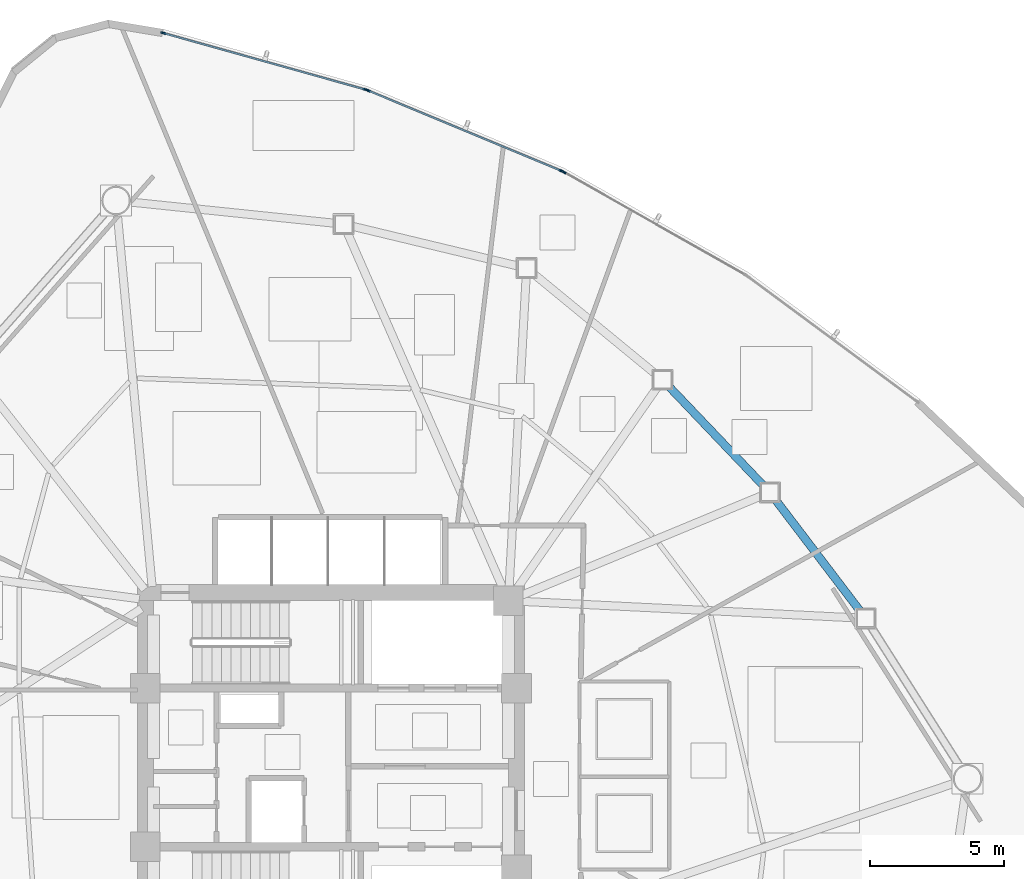
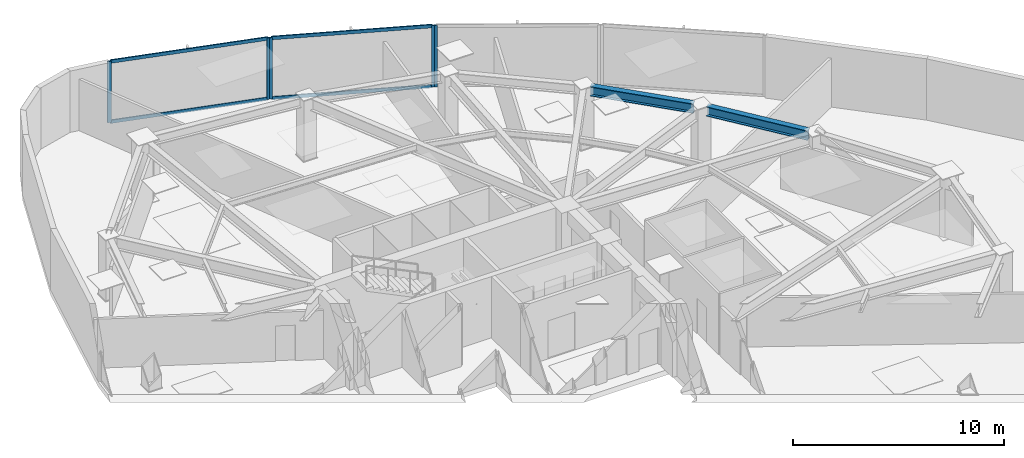
# One storey, part 9 of 18: 9 members, 2 beams, 3 elements without a shape of their own.
"""IFC4 building model written with IfcOpenShell, lengths in metres."""

from ifc_helpers import new_model, si_unit, direction, frame, origin, origin_2d, place, context, subcontext, project, spatial, hollow_rectangle, i_section, extrude, source, transform, mapped, material, layer, layer_set, material_profile, profile_set, type_object, type_shapes, element, aggregate, save


model = new_model("IFC4")

# Units and contexts
model_context = context("Model", 3, precision=1e-05, world=origin(), true_north=direction((0.0, 1.0)))
body_context = subcontext(model_context, "Body", "Model", "MODEL_VIEW")
ifc_project = project(units=[si_unit("LENGTHUNIT", "METRE"), si_unit("AREAUNIT", "SQUARE_METRE"), si_unit("VOLUMEUNIT", "CUBIC_METRE"), si_unit("PLANEANGLEUNIT", "RADIAN"), si_unit("MASSUNIT", "GRAM", prefix="KILO")], contexts=[model_context])

# Site, building, storey
site_placement = place(None, origin())
site = spatial("IfcSite", under=ifc_project, at=site_placement, CompositionType="ELEMENT")
building_placement = place(site_placement, origin())
building = spatial("IfcBuilding", under=site, at=building_placement, Name="Tavelor Broadcast Tower", CompositionType="ELEMENT")
storey_placement = place(building_placement, frame((0.0, 0.0, 146.39990234375)))
storey = spatial("IfcBuildingStorey", under=building, at=storey_placement, Name="L34", CompositionType="ELEMENT", Elevation=146.39990234375)

# Beams
ifc_material_1 = material(Name="Steel S355", Category="steel")
ifc_material_profile_1 = material_profile(ifc_material_1, i_section(OverallWidth=0.300048828125, OverallDepth=0.550048828125, WebThickness=0.014892578125, FlangeThickness=0.029052734375, at=origin_2d()), Name="HEB 550")
ifc_profile_set_1 = profile_set([ifc_material_profile_1], Name="Steel S355")
beam_type = type_object("IfcBeamType", Name="Perimeter Spandrel Beam T3 HEB 550", PredefinedType="SPANDREL", material=ifc_profile_set_1)
beam_1_placement = place(storey_placement, frame((69.6826171875, 50.8115234375, 3.275146484375), z_axis=(-0.605507005058, 0.795839975639, 0.0), x_axis=(-0.795839975639, -0.605507005058, 0.0)))
element("IfcBeam", 1, at=beam_1_placement, inside=storey, type_object=beam_type, Name="L34 Framed-Tube Ring Spandrel 14", PredefinedType="SPANDREL", context=body_context, shape_type="SweptSolid", body=[
    extrude(i_section(OverallWidth=0.300048828125, OverallDepth=0.550048828125, WebThickness=0.014892578125, FlangeThickness=0.029052734375, at=origin_2d()), origin(), (0.0, 0.0, 1.0), 5.214111328125),
])
beam_2_placement = place(storey_placement, frame((66.090087890625, 55.471923828125, 3.275146484375), z_axis=(-0.689928162502, 0.723877842309, 0.0), x_axis=(-0.723877842309, -0.689928162502, 0.0)))
element("IfcBeam", 2, at=beam_2_placement, inside=storey, type_object=beam_type, Name="L34 Framed-Tube Ring Spandrel 15", PredefinedType="SPANDREL", context=body_context, shape_type="SweptSolid", body=[
    extrude(i_section(OverallWidth=0.300048828125, OverallDepth=0.550048828125, WebThickness=0.014892578125, FlangeThickness=0.029052734375, at=origin_2d()), origin(), (0.0, 0.0, 1.0), 5.113037109375),
])

# Curtain wall, member
ifc_material_2 = material(Name="Architectural Anodized Aluminium", Category="aluminium")
ifc_layer = layer(ifc_material_2, 0.18994140625)
ifc_layer_set = layer_set([ifc_layer], Name="Architectural Anodized Aluminium")
curtain_wall_type = type_object("IfcCurtainWallType", Name="Tower Mid-Zone Acoustic Curtain Wall CW03", PredefinedType="NOTDEFINED", material=ifc_layer_set)
curtain_wall_1_placement = place(storey_placement, origin())
curtain_wall_1 = element("IfcCurtainWall", 3, at=curtain_wall_1_placement, inside=storey, type_object=curtain_wall_type, Name="L34 Curtain Wall CW03 Run 358", PredefinedType="NOTDEFINED")
ifc_material_profile_2 = material_profile(ifc_material_2, hollow_rectangle(XDim=0.068115234375, YDim=0.18994140625, WallThickness=0.02197265625, at=origin_2d()), Name="RHS 68x190x22")
ifc_profile_set_2 = profile_set([ifc_material_profile_2], Name="Architectural Anodized Aluminium")
member_type_1 = type_object("IfcMemberType", Name="CW03 Extruded Aluminium Mullion 68x190", PredefinedType="MULLION", material=ifc_profile_set_2)
shared_shape_1 = source(origin(), body_context, "Body", "SweptSolid", [
    extrude(hollow_rectangle(XDim=0.068115234375, YDim=0.18994140625, WallThickness=0.02197265625, at=origin_2d()), origin(), (0.0, 0.0, 1.0), 3.550048828125),
])
type_shapes(member_type_1, [shared_shape_1])
member_1_placement = place(storey_placement, frame((58.65234375, 67.141357421875, 0.0), z_axis=(0.0, 0.0, 1.0), x_axis=(-0.492787394129, -0.87014974814, 0.0)))
member_1 = element("IfcMember", 4, at=member_1_placement, type_object=member_type_1, Name="CW03 mullion 2", PredefinedType="MULLION", context=body_context, shape_type="MappedRepresentation", body=[
    mapped(shared_shape_1, transform((0.0, 0.0, 0.0), scale=1.0)),
])
aggregate(curtain_wall_1, [member_1])

# Curtain wall, members
curtain_wall_2_placement = place(storey_placement, origin())
curtain_wall_2 = element("IfcCurtainWall", 5, at=curtain_wall_2_placement, inside=storey, type_object=curtain_wall_type, Name="L34 Curtain Wall CW03 Run 359", PredefinedType="NOTDEFINED")
member_2_placement = place(storey_placement, frame((58.564453125, 67.184326171875, 0.0), z_axis=(0.0, 0.0, 1.0), x_axis=(-0.383889423033, -0.923379072149, 0.0)))
member_2 = element("IfcMember", 6, at=member_2_placement, type_object=member_type_1, Name="CW03 mullion 1", PredefinedType="MULLION", context=body_context, shape_type="MappedRepresentation", body=[
    mapped(shared_shape_1, transform((0.0, 0.0, 0.0), scale=1.0)),
])
member_3_placement = place(storey_placement, frame((51.373779296875, 70.173828125, 0.0), z_axis=(0.0, 0.0, 1.0), x_axis=(-0.383889423033, -0.923379072149, 0.0)))
member_3 = element("IfcMember", 7, at=member_3_placement, type_object=member_type_1, Name="CW03 mullion 2", PredefinedType="MULLION", context=body_context, shape_type="MappedRepresentation", body=[
    mapped(shared_shape_1, transform((0.0, 0.0, 0.0), scale=1.0)),
])

curtain_wall_3_placement = place(storey_placement, origin())
curtain_wall_3 = element("IfcCurtainWall", 8, at=curtain_wall_3_placement, inside=storey, type_object=curtain_wall_type, Name="L34 Curtain Wall CW03 Run 360", PredefinedType="NOTDEFINED")
member_4_placement = place(storey_placement, frame((51.28125, 70.205810546875, 0.0), z_axis=(0.0, 0.0, 1.0), x_axis=(-0.269310412743, -0.963053426134, 0.0)))
member_4 = element("IfcMember", 9, at=member_4_placement, type_object=member_type_1, Name="CW03 mullion 1", PredefinedType="MULLION", context=body_context, shape_type="MappedRepresentation", body=[
    mapped(shared_shape_1, transform((0.0, 0.0, 0.0), scale=1.0)),
])
member_5_placement = place(storey_placement, frame((43.766357421875, 72.307373046875, 0.0), z_axis=(0.0, 0.0, 1.0), x_axis=(-0.269310412743, -0.963053426134, 0.0)))
member_5 = element("IfcMember", 10, at=member_5_placement, type_object=member_type_1, Name="CW03 mullion 2", PredefinedType="MULLION", context=body_context, shape_type="MappedRepresentation", body=[
    mapped(shared_shape_1, transform((0.0, 0.0, 0.0), scale=1.0)),
])

# Member
ifc_material_profile_3 = material_profile(ifc_material_2, hollow_rectangle(XDim=0.068115234375, YDim=0.18994140625, WallThickness=0.02197265625, at=origin_2d()), Name="RHS 68x190x22")
ifc_profile_set_3 = profile_set([ifc_material_profile_3], Name="Architectural Anodized Aluminium")
member_type_2 = type_object("IfcMemberType", Name="CW03 Extruded Aluminium Transom 68x190", PredefinedType="USERDEFINED", material=ifc_profile_set_3)
shared_shape_2 = source(origin(), body_context, "Body", "SweptSolid", [
    extrude(hollow_rectangle(XDim=0.068115234375, YDim=0.18994140625, WallThickness=0.02197265625, at=origin_2d()), origin(), (0.0, 0.0, 1.0), 7.719482421875),
])
member_6_placement = place(storey_placement, frame((58.532958984375, 67.197509765625, 0.0341796875), z_axis=(-0.923379805687, 0.383887658632, 0.0), x_axis=(-0.383887658632, -0.923379805687, 0.0)))
member_6 = element("IfcMember", 11, at=member_6_placement, type_object=member_type_2, Name="CW03 transom 1.1", ObjectType="TRANSOM", PredefinedType="USERDEFINED", context=body_context, shape_type="MappedRepresentation", body=[
    mapped(shared_shape_2, transform((0.0, 0.0, 0.0), scale=1.0)),
])

member_7_placement = place(storey_placement, frame((58.532958984375, 67.197509765625, 3.51611328125), z_axis=(-0.923379805687, 0.383887658632, 0.0), x_axis=(-0.383887658632, -0.923379805687, 0.0)))
member_7 = element("IfcMember", 12, at=member_7_placement, type_object=member_type_2, Name="CW03 transom 1.2", ObjectType="TRANSOM", PredefinedType="USERDEFINED", context=body_context, shape_type="MappedRepresentation", body=[
    mapped(shared_shape_2, transform((0.0, 0.0, 0.0), scale=1.0)),
])

aggregate(curtain_wall_2, [member_2, member_3, member_6, member_7])

shared_shape_3 = source(origin(), body_context, "Body", "SweptSolid", [
    extrude(hollow_rectangle(XDim=0.068115234375, YDim=0.18994140625, WallThickness=0.02197265625, at=origin_2d()), origin(), (0.0, 0.0, 1.0), 7.735107421875),
])
type_shapes(member_type_2, [shared_shape_2, shared_shape_3])
member_8_placement = place(storey_placement, frame((51.24853515625, 70.215087890625, 0.0341796875), z_axis=(-0.963059348667, 0.269289232879, 0.0), x_axis=(-0.269289232879, -0.963059348667, 0.0)))
member_8 = element("IfcMember", 13, at=member_8_placement, type_object=member_type_2, Name="CW03 transom 1.1", ObjectType="TRANSOM", PredefinedType="USERDEFINED", context=body_context, shape_type="MappedRepresentation", body=[
    mapped(shared_shape_3, transform((0.0, 0.0, 0.0), scale=1.0)),
])

member_9_placement = place(storey_placement, frame((51.24853515625, 70.215087890625, 3.51611328125), z_axis=(-0.963059348667, 0.269289232879, 0.0), x_axis=(-0.269289232879, -0.963059348667, 0.0)))
member_9 = element("IfcMember", 14, at=member_9_placement, type_object=member_type_2, Name="CW03 transom 1.2", ObjectType="TRANSOM", PredefinedType="USERDEFINED", context=body_context, shape_type="MappedRepresentation", body=[
    mapped(shared_shape_3, transform((0.0, 0.0, 0.0), scale=1.0)),
])

aggregate(curtain_wall_3, [member_4, member_5, member_8, member_9])

save(model, "model.ifc")
